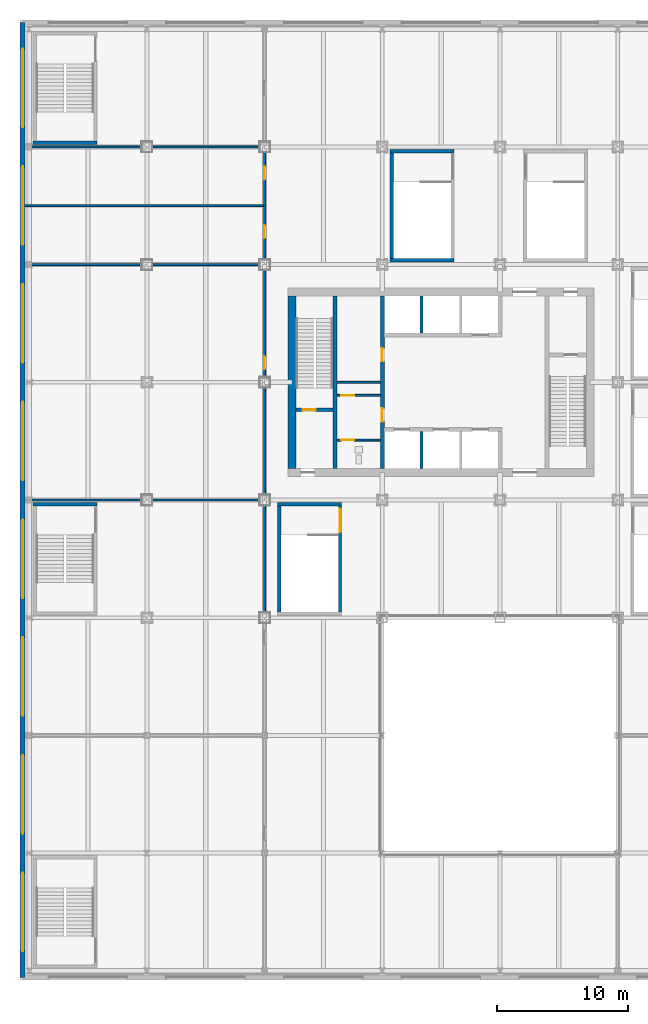
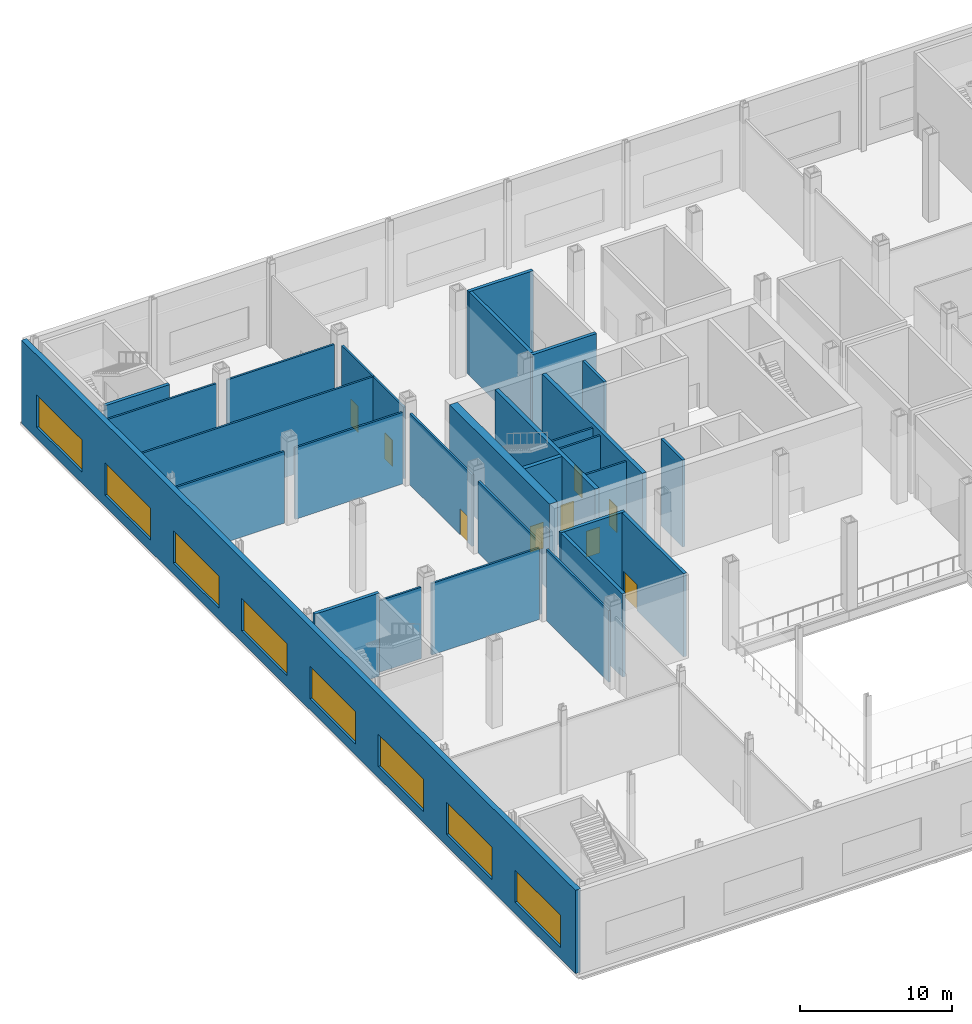
# One storey, part 12 of 32: 30 walls, 9 doors, 8 windows, 17 openings.
"""IFC4 building model written with IfcOpenShell, lengths in metres."""

from ifc_helpers import new_model, si_unit, direction, frame, frame_2d, origin, place, context, subcontext, project, spatial, rectangle, extrude, material, layer, layer_set, type_object, element, fill, save


model = new_model("IFC4")

# Units and contexts
model_context = context("Model", 3, precision=1e-05, world=origin(), true_north=direction((0.0, 1.0)))
body_context = subcontext(model_context, "Body", "Model", "MODEL_VIEW")
ifc_project = project(units=[si_unit("LENGTHUNIT", "METRE"), si_unit("AREAUNIT", "SQUARE_METRE"), si_unit("VOLUMEUNIT", "CUBIC_METRE"), si_unit("PLANEANGLEUNIT", "RADIAN"), si_unit("MASSUNIT", "GRAM", prefix="KILO")], contexts=[model_context])

# Site, building, storey
site_placement = place(None, origin())
site = spatial("IfcSite", under=ifc_project, at=site_placement, CompositionType="ELEMENT")
building_placement = place(site_placement, origin())
building = spatial("IfcBuilding", under=site, at=building_placement, Name="Loomwork Tower", CompositionType="ELEMENT")
storey_placement = place(building_placement, frame((0.0, 0.0, 16.0)))
storey = spatial("IfcBuildingStorey", under=building, at=storey_placement, Name="L03", CompositionType="ELEMENT", Elevation=16.0)

# Wall
ifc_material_1 = material(Name="Concrete 14000 psi (97 MPa)", Category="concrete")
ifc_layer_1 = layer(ifc_material_1, 0.300048828125)
ifc_layer_set_1 = layer_set([ifc_layer_1], Name="Core shear wall 300")
wall_type_1 = type_object("IfcWallType", Name="Core shear wall 300", PredefinedType="SHEAR", material=ifc_layer_set_1)
wall_1_placement = place(storey_placement, frame((14.39990234375, 11.39990234375, 0.0), z_axis=(0.0, 0.0, 1.0), x_axis=(0.0, 1.0, 0.0)))
element("IfcWall", 1, at=wall_1_placement, inside=storey, type_object=wall_type_1, Name="Stair A east wall L03", PredefinedType="SHEAR", context=body_context, shape_type="SweptSolid", body=[
    extrude(rectangle(XDim=13.2001953125, YDim=0.300048828125, at=frame_2d((6.60009765625, 0.0))), origin(), (0.0, 0.0, 1.0), 7.0),
])

# Wall, opening, door
wall_2_placement = place(storey_placement, frame((11.39990234375, 15.89990234375, 0.0), z_axis=(0.0, 0.0, 1.0), x_axis=(1.0, 0.0, 0.0)))
wall_2 = element("IfcWall", 2, at=wall_2_placement, inside=storey, type_object=wall_type_1, Name="Stair A south wall L03", PredefinedType="SHEAR", context=body_context, shape_type="SweptSolid", body=[
    extrude(rectangle(XDim=2.85009765625, YDim=0.300048828125, at=frame_2d((1.425048828125, 0.0))), origin(), (0.0, 0.0, 1.0), 7.0),
])
opening_1_placement = place(wall_2_placement, frame((0.5, 0.0, 0.0)))
opening_1 = element("IfcOpeningElement", 3, at=opening_1_placement, cuts=wall_2, Name="Opening D4", PredefinedType="OPENING", context=body_context, shape_type="SweptSolid", body=[
    extrude(rectangle(XDim=1.0, YDim=2.10009765625, at=frame_2d((0.5, 1.050048828125))), frame((0.0, 0.159912109375, 0.0), z_axis=(0.0, -1.0, 0.0), x_axis=(1.0, 0.0, 0.0)), (0.0, 0.0, 1.0), 0.320068359375),
])
ifc_material_2 = material(Name="Hollow metal door and frame")
door_type_1 = type_object("IfcDoorType", Name="Stair door 1000", OperationType="SINGLE_SWING_RIGHT", PredefinedType="DOOR", material=ifc_material_2)
door_1_placement = place(opening_1_placement, origin())
door_1 = element("IfcDoor", 4, at=door_1_placement, inside=storey, type_object=door_type_1, Name="Stair A door", OperationType="SINGLE_SWING_LEFT", OverallHeight=2.10009765625, OverallWidth=1.0, PredefinedType="DOOR", context=body_context, shape_type="SweptSolid", body=[
    extrude(rectangle(XDim=1.0, YDim=2.10009765625, at=frame_2d((0.5, 1.050048828125))), frame((0.0, 0.02490234375, 0.0), z_axis=(0.0, -1.0, 0.0), x_axis=(1.0, 0.0, 0.0)), (0.0, 0.0, 1.0), 0.050048828125),
])
fill(opening_1, door_1)

# Wall, openings, doors
wall_3_placement = place(storey_placement, frame((18.0, 11.39990234375, 0.0), z_axis=(0.0, 0.0, 1.0), x_axis=(0.0, 1.0, 0.0)))
wall_3 = element("IfcWall", 5, at=wall_3_placement, inside=storey, type_object=wall_type_1, Name="Lobby west wall L03", PredefinedType="SHEAR", context=body_context, shape_type="SweptSolid", body=[
    extrude(rectangle(XDim=13.2001953125, YDim=0.300048828125, at=frame_2d((6.60009765625, 0.0))), origin(), (0.0, 0.0, 1.0), 7.0),
])
opening_2_placement = place(wall_3_placement, frame((3.60009765625, 0.0, 0.0)))
opening_2 = element("IfcOpeningElement", 6, at=opening_2_placement, cuts=wall_3, Name="Opening D5", PredefinedType="OPENING", context=body_context, shape_type="SweptSolid", body=[
    extrude(rectangle(XDim=1.0, YDim=2.10009765625, at=frame_2d((0.5, 1.050048828125))), frame((0.0, 0.159912109375, 0.0), z_axis=(0.0, -1.0, 0.0), x_axis=(1.0, 0.0, 0.0)), (0.0, 0.0, 1.0), 0.320068359375),
])
opening_3_placement = place(wall_3_placement, frame((8.199951171875, 0.0, 0.0)))
opening_3 = element("IfcOpeningElement", 7, at=opening_3_placement, cuts=wall_3, Name="Opening D5", PredefinedType="OPENING", context=body_context, shape_type="SweptSolid", body=[
    extrude(rectangle(XDim=1.0, YDim=2.10009765625, at=frame_2d((0.5, 1.050048828125))), frame((0.0, 0.159912109375, 0.0), z_axis=(0.0, -1.0, 0.0), x_axis=(1.0, 0.0, 0.0)), (0.0, 0.0, 1.0), 0.320068359375),
])
ifc_material_3 = material(Name="Hollow metal door and frame")
door_type_2 = type_object("IfcDoorType", Name="Service door 1000", OperationType="SINGLE_SWING_LEFT", PredefinedType="DOOR", material=ifc_material_3)
door_2_placement = place(opening_2_placement, origin())
door_2 = element("IfcDoor", 8, at=door_2_placement, inside=storey, type_object=door_type_2, Name="Back-of-house door south", OperationType="SINGLE_SWING_LEFT", OverallHeight=2.10009765625, OverallWidth=1.0, PredefinedType="DOOR", context=body_context, shape_type="SweptSolid", body=[
    extrude(rectangle(XDim=1.0, YDim=2.10009765625, at=frame_2d((0.5, 1.050048828125))), frame((0.0, 0.02490234375, 0.0), z_axis=(0.0, -1.0, 0.0), x_axis=(1.0, 0.0, 0.0)), (0.0, 0.0, 1.0), 0.050048828125),
])
fill(opening_2, door_2)
door_3_placement = place(opening_3_placement, origin())
door_3 = element("IfcDoor", 9, at=door_3_placement, inside=storey, type_object=door_type_2, Name="Back-of-house door north", OperationType="SINGLE_SWING_RIGHT", OverallHeight=2.10009765625, OverallWidth=1.0, PredefinedType="DOOR", context=body_context, shape_type="SweptSolid", body=[
    extrude(rectangle(XDim=1.0, YDim=2.10009765625, at=frame_2d((0.5, 1.050048828125))), frame((0.0, 0.02490234375, 0.0), z_axis=(0.0, -1.0, 0.0), x_axis=(1.0, 0.0, 0.0)), (0.0, 0.0, 1.0), 0.050048828125),
])
fill(opening_3, door_3)

# Walls
ifc_material_4 = material(Name="Concrete 14000 psi (97 MPa)", Category="concrete")
ifc_layer_2 = layer(ifc_material_4, 0.60009765625)
ifc_layer_set_2 = layer_set([ifc_layer_2], Name="Core shear wall 600")
wall_type_2 = type_object("IfcWallType", Name="Core shear wall 600", PredefinedType="SHEAR", material=ifc_layer_set_2)
wall_4_placement = place(storey_placement, frame((11.10009765625, 11.39990234375, 0.0), z_axis=(0.0, 0.0, 1.0), x_axis=(0.0, 1.0, 0.0)))
element("IfcWall", 10, at=wall_4_placement, inside=storey, type_object=wall_type_2, Name="Core wall west L03", PredefinedType="SHEAR", context=body_context, shape_type="SweptSolid", body=[
    extrude(rectangle(XDim=13.2001953125, YDim=0.60009765625, at=frame_2d((6.60009765625, 0.0))), origin(), (0.0, 0.0, 1.0), 7.0),
])
ifc_material_5 = material(Name="Concrete 14000 psi (97 MPa)", Category="concrete")
ifc_layer_3 = layer(ifc_material_5, 0.199951171875)
ifc_layer_set_3 = layer_set([ifc_layer_3], Name="Lift shaft wall 200")
wall_type_3 = type_object("IfcWallType", Name="Lift shaft wall 200", PredefinedType="SHEAR", material=ifc_layer_set_3)
for number, where, z_axis, x_axis, name in (
    (11, (21.0, 11.39990234375, 0.0), (0.0, 0.0, 1.0), (0.0, 1.0, 0.0), "Lift shaft separation wall south 1 L03"),
    (12, (21.0, 21.75, 0.0), (0.0, 0.0, 1.0), (0.0, 1.0, 0.0), "Lift shaft separation wall north 1 L03"),
):
    element("IfcWall", number, at=place(storey_placement, frame(where, z_axis=z_axis, x_axis=x_axis)), inside=storey, type_object=wall_type_3, Name=name, PredefinedType="SHEAR", context=body_context, shape_type="SweptSolid", body=[
        extrude(rectangle(XDim=2.85009765625, YDim=0.199951171875, at=frame_2d((1.425048828125, 0.0))), origin(), (0.0, 0.0, 1.0), 7.0),
    ])
ifc_material_6 = material(Name="Gypsum board on steel studs, one-hour", Category="steel")
ifc_layer_4 = layer(ifc_material_6, 0.14990234375)
ifc_layer_set_4 = layer_set([ifc_layer_4], Name="Partition 150")
wall_type_4 = type_object("IfcWallType", Name="Partition 150", PredefinedType="PARTITIONING", material=ifc_layer_set_4)
wall_5_placement = place(storey_placement, frame((-8.81201171875, 9.0, 0.0), z_axis=(0.0, 0.0, 1.0), x_axis=(1.0, 0.0, 0.0)))
element("IfcWall", 13, at=wall_5_placement, inside=storey, type_object=wall_type_4, Name="Partition L03 2.1", PredefinedType="PARTITIONING", context=body_context, shape_type="SweptSolid", body=[
    extrude(rectangle(XDim=8.412109375, YDim=0.14990234375, at=frame_2d((4.2060546875, 0.0))), origin(), (0.0, 0.0, 1.0), 5.752685546875),
])
wall_6_placement = place(storey_placement, frame((0.39990234375, 9.0, 0.0), z_axis=(0.0, 0.0, 1.0), x_axis=(1.0, 0.0, 0.0)))
element("IfcWall", 14, at=wall_6_placement, inside=storey, type_object=wall_type_4, Name="Partition L03 2.2", PredefinedType="PARTITIONING", context=body_context, shape_type="SweptSolid", body=[
    extrude(rectangle(XDim=8.2001953125, YDim=0.14990234375, at=frame_2d((4.10009765625, 0.0))), origin(), (0.0, 0.0, 1.0), 5.752685546875),
])
wall_7_placement = place(storey_placement, frame((-8.81201171875, 27.0, 0.0), z_axis=(0.0, 0.0, 1.0), x_axis=(1.0, 0.0, 0.0)))
element("IfcWall", 15, at=wall_7_placement, inside=storey, type_object=wall_type_4, Name="Partition L03 3.1", PredefinedType="PARTITIONING", context=body_context, shape_type="SweptSolid", body=[
    extrude(rectangle(XDim=8.412109375, YDim=0.14990234375, at=frame_2d((4.2060546875, 0.0))), origin(), (0.0, 0.0, 1.0), 5.752685546875),
])
wall_8_placement = place(storey_placement, frame((0.39990234375, 27.0, 0.0), z_axis=(0.0, 0.0, 1.0), x_axis=(1.0, 0.0, 0.0)))
element("IfcWall", 16, at=wall_8_placement, inside=storey, type_object=wall_type_4, Name="Partition L03 3.2", PredefinedType="PARTITIONING", context=body_context, shape_type="SweptSolid", body=[
    extrude(rectangle(XDim=8.2001953125, YDim=0.14990234375, at=frame_2d((4.10009765625, 0.0))), origin(), (0.0, 0.0, 1.0), 5.752685546875),
])
wall_9_placement = place(storey_placement, frame((-9.300048828125, 31.5, 0.0), z_axis=(0.0, 0.0, 1.0), x_axis=(1.0, 0.0, 0.0)))
element("IfcWall", 17, at=wall_9_placement, inside=storey, type_object=wall_type_4, Name="Partition L03 4.1", PredefinedType="PARTITIONING", context=body_context, shape_type="SweptSolid", body=[
    extrude(rectangle(XDim=18.300048828125, YDim=0.14990234375, at=frame_2d((9.14990234375, 0.0))), origin(), (0.0, 0.0, 1.0), 5.751953125),
])
wall_10_placement = place(storey_placement, frame((-8.81201171875, 36.0, 0.0), z_axis=(0.0, 0.0, 1.0), x_axis=(1.0, 0.0, 0.0)))
element("IfcWall", 18, at=wall_10_placement, inside=storey, type_object=wall_type_4, Name="Partition L03 5.1", PredefinedType="PARTITIONING", context=body_context, shape_type="SweptSolid", body=[
    extrude(rectangle(XDim=8.412109375, YDim=0.14990234375, at=frame_2d((4.2060546875, 0.0))), origin(), (0.0, 0.0, 1.0), 5.752685546875),
])
for number, where, z_axis, x_axis, name in (
    (19, (0.39990234375, 36.0, 0.0), (0.0, 0.0, 1.0), (1.0, 0.0, 0.0), "Partition L03 5.2"),
    (20, (9.0, 8.60009765625, 0.0), (0.0, 0.0, 1.0), (0.0, -1.0, 0.0), "Partition L03 7.1"),
):
    element("IfcWall", number, at=place(storey_placement, frame(where, z_axis=z_axis, x_axis=x_axis)), inside=storey, type_object=wall_type_4, Name=name, PredefinedType="PARTITIONING", context=body_context, shape_type="SweptSolid", body=[
        extrude(rectangle(XDim=8.2001953125, YDim=0.14990234375, at=frame_2d((4.10009765625, 0.0))), origin(), (0.0, 0.0, 1.0), 5.752685546875),
    ])

# Wall, opening, door
wall_11_placement = place(storey_placement, frame((9.0, 26.60009765625, 0.0), z_axis=(0.0, 0.0, 1.0), x_axis=(0.0, -1.0, 0.0)))
wall_11 = element("IfcWall", 21, at=wall_11_placement, inside=storey, type_object=wall_type_4, Name="Partition L03 8.1", PredefinedType="PARTITIONING", context=body_context, shape_type="SweptSolid", body=[
    extrude(rectangle(XDim=8.2001953125, YDim=0.14990234375, at=frame_2d((4.10009765625, 0.0))), origin(), (0.0, 0.0, 1.0), 5.752685546875),
])
opening_4_placement = place(wall_11_placement, frame((6.60009765625, 0.0, 0.0)))
opening_4 = element("IfcOpeningElement", 22, at=opening_4_placement, cuts=wall_11, Name="Opening D7", PredefinedType="OPENING", context=body_context, shape_type="SweptSolid", body=[
    extrude(rectangle(XDim=1.0, YDim=2.10009765625, at=frame_2d((0.5, 1.050048828125))), frame((0.0, 0.0849609375, 0.0), z_axis=(0.0, -1.0, 0.0), x_axis=(1.0, 0.0, 0.0)), (0.0, 0.0, 1.0), 0.169921875),
])
ifc_material_7 = material(Name="Hollow metal door and frame")
door_type_3 = type_object("IfcDoorType", Name="Room door 1000", OperationType="SINGLE_SWING_LEFT", PredefinedType="DOOR", material=ifc_material_7)
door_4_placement = place(opening_4_placement, origin())
door_4 = element("IfcDoor", 23, at=door_4_placement, inside=storey, type_object=door_type_3, Name="Meeting room 303 door", OperationType="SINGLE_SWING_RIGHT", OverallHeight=2.10009765625, OverallWidth=1.0, PredefinedType="DOOR", context=body_context, shape_type="SweptSolid", body=[
    extrude(rectangle(XDim=1.0, YDim=2.10009765625, at=frame_2d((0.5, 1.050048828125))), frame((0.0, 0.02490234375, 0.0), z_axis=(0.0, -1.0, 0.0), x_axis=(1.0, 0.0, 0.0)), (0.0, 0.0, 1.0), 0.050048828125),
])
fill(opening_4, door_4)

# Wall
wall_12_placement = place(storey_placement, frame((9.0, 17.60009765625, 0.0), z_axis=(0.0, 0.0, 1.0), x_axis=(0.0, -1.0, 0.0)))
element("IfcWall", 24, at=wall_12_placement, inside=storey, type_object=wall_type_4, Name="Partition L03 8.2", PredefinedType="PARTITIONING", context=body_context, shape_type="SweptSolid", body=[
    extrude(rectangle(XDim=8.2001953125, YDim=0.14990234375, at=frame_2d((4.10009765625, 0.0))), origin(), (0.0, 0.0, 1.0), 5.752685546875),
])

# Wall, opening, door
wall_13_placement = place(storey_placement, frame((9.0, 31.5, 0.0), z_axis=(0.0, 0.0, 1.0), x_axis=(0.0, -1.0, 0.0)))
wall_13 = element("IfcWall", 25, at=wall_13_placement, inside=storey, type_object=wall_type_4, Name="Partition L03 9.1", PredefinedType="PARTITIONING", context=body_context, shape_type="SweptSolid", body=[
    extrude(rectangle(XDim=4.10009765625, YDim=0.14990234375, at=frame_2d((2.050048828125, 0.0))), origin(), (0.0, 0.0, 1.0), 5.752685546875),
])
opening_5_placement = place(wall_13_placement, frame((1.5, 0.0, 0.0)))
opening_5 = element("IfcOpeningElement", 26, at=opening_5_placement, cuts=wall_13, Name="Opening D8", PredefinedType="OPENING", context=body_context, shape_type="SweptSolid", body=[
    extrude(rectangle(XDim=1.0, YDim=2.10009765625, at=frame_2d((0.5, 1.050048828125))), frame((0.0, 0.0849609375, 0.0), z_axis=(0.0, -1.0, 0.0), x_axis=(1.0, 0.0, 0.0)), (0.0, 0.0, 1.0), 0.169921875),
])
ifc_material_8 = material(Name="Hollow metal door and frame")
door_type_4 = type_object("IfcDoorType", Name="WC door 1000", OperationType="SINGLE_SWING_LEFT", PredefinedType="DOOR", material=ifc_material_8)
door_5_placement = place(opening_5_placement, frame((1.0, 0.0, 0.0), z_axis=(0.0, 0.0, 1.0), x_axis=(-1.0, 0.0, 0.0)))
door_5 = element("IfcDoor", 27, at=door_5_placement, inside=storey, type_object=door_type_4, Name="Public WC men door", OperationType="SINGLE_SWING_RIGHT", OverallHeight=2.10009765625, OverallWidth=1.0, PredefinedType="DOOR", context=body_context, shape_type="SweptSolid", body=[
    extrude(rectangle(XDim=1.0, YDim=2.10009765625, at=frame_2d((0.5, 1.050048828125))), frame((0.0, 0.02490234375, 0.0), z_axis=(0.0, -1.0, 0.0), x_axis=(1.0, 0.0, 0.0)), (0.0, 0.0, 1.0), 0.050048828125),
])
fill(opening_5, door_5)

wall_14_placement = place(storey_placement, frame((9.0, 35.60009765625, 0.0), z_axis=(0.0, 0.0, 1.0), x_axis=(0.0, -1.0, 0.0)))
wall_14 = element("IfcWall", 28, at=wall_14_placement, inside=storey, type_object=wall_type_4, Name="Partition L03 10.1", PredefinedType="PARTITIONING", context=body_context, shape_type="SweptSolid", body=[
    extrude(rectangle(XDim=4.10009765625, YDim=0.14990234375, at=frame_2d((2.050048828125, 0.0))), origin(), (0.0, 0.0, 1.0), 5.752685546875),
])
opening_6_placement = place(wall_14_placement, frame((1.10009765625, 0.0, 0.0)))
opening_6 = element("IfcOpeningElement", 29, at=opening_6_placement, cuts=wall_14, Name="Opening D8", PredefinedType="OPENING", context=body_context, shape_type="SweptSolid", body=[
    extrude(rectangle(XDim=1.0, YDim=2.10009765625, at=frame_2d((0.5, 1.050048828125))), frame((0.0, 0.0849609375, 0.0), z_axis=(0.0, -1.0, 0.0), x_axis=(1.0, 0.0, 0.0)), (0.0, 0.0, 1.0), 0.169921875),
])
door_6_placement = place(opening_6_placement, frame((1.0, 0.0, 0.0), z_axis=(0.0, 0.0, 1.0), x_axis=(-1.0, 0.0, 0.0)))
door_6 = element("IfcDoor", 30, at=door_6_placement, inside=storey, type_object=door_type_4, Name="Public WC women door", OperationType="SINGLE_SWING_RIGHT", OverallHeight=2.10009765625, OverallWidth=1.0, PredefinedType="DOOR", context=body_context, shape_type="SweptSolid", body=[
    extrude(rectangle(XDim=1.0, YDim=2.10009765625, at=frame_2d((0.5, 1.050048828125))), frame((0.0, 0.02490234375, 0.0), z_axis=(0.0, -1.0, 0.0), x_axis=(1.0, 0.0, 0.0)), (0.0, 0.0, 1.0), 0.050048828125),
])
fill(opening_6, door_6)

# Wall
ifc_material_9 = material(Name="Gypsum board on steel studs", Category="steel")
ifc_layer_5 = layer(ifc_material_9, 0.14990234375)
ifc_layer_set_5 = layer_set([ifc_layer_5], Name="Partition 150 two-hour")
wall_type_5 = type_object("IfcWallType", Name="Partition 150 two-hour", PredefinedType="PARTITIONING", material=ifc_layer_set_5)
wall_15_placement = place(storey_placement, frame((14.550048828125, 18.0, 0.0), z_axis=(0.0, 0.0, 1.0), x_axis=(1.0, 0.0, 0.0)))
element("IfcWall", 31, at=wall_15_placement, inside=storey, type_object=wall_type_5, Name="Back-of-house dividing wall L03", PredefinedType="PARTITIONING", context=body_context, shape_type="SweptSolid", body=[
    extrude(rectangle(XDim=3.300048828125, YDim=0.14990234375, at=frame_2d((1.64990234375, 0.0))), origin(), (0.0, 0.0, 1.0), 6.699951171875),
])

# Wall, openings, windows
ifc_material_10 = material(Name="Limestone on concrete masonry", Category="masonry")
ifc_layer_6 = layer(ifc_material_10, 0.39990234375)
ifc_layer_set_6 = layer_set([ifc_layer_6], Name="Podium limestone wall 400")
wall_type_6 = type_object("IfcWallType", Name="Podium limestone wall 400", PredefinedType="SOLIDWALL", material=ifc_layer_set_6)
wall_16_placement = place(storey_placement, frame((-9.5, 45.5, 0.0), z_axis=(0.0, 0.0, 1.0), x_axis=(0.0, -1.0, 0.0)))
wall_16 = element("IfcWall", 32, at=wall_16_placement, inside=storey, type_object=wall_type_6, Name="Podium stone wall W", PredefinedType="SOLIDWALL", context=body_context, shape_type="SweptSolid", body=[
    extrude(rectangle(XDim=73.0, YDim=0.39990234375, at=frame_2d((36.5, 0.0))), origin(), (0.0, 0.0, 1.0), 6.699951171875),
])
opening_7_placement = place(wall_16_placement, frame((2.0, 0.0, 0.89990234375)))
opening_7 = element("IfcOpeningElement", 33, at=opening_7_placement, cuts=wall_16, Name="Opening CH3", PredefinedType="OPENING", context=body_context, shape_type="SweptSolid", body=[
    extrude(rectangle(XDim=6.0, YDim=2.60009765625, at=frame_2d((3.0, 1.300048828125))), frame((0.0, 0.2099609375, 0.0), z_axis=(0.0, -1.0, 0.0), x_axis=(1.0, 0.0, 0.0)), (0.0, 0.0, 1.0), 0.419921875),
])
opening_8_placement = place(wall_16_placement, frame((11.0, 0.0, 0.89990234375)))
opening_8 = element("IfcOpeningElement", 34, at=opening_8_placement, cuts=wall_16, Name="Opening CH3", PredefinedType="OPENING", context=body_context, shape_type="SweptSolid", body=[
    extrude(rectangle(XDim=6.0, YDim=2.60009765625, at=frame_2d((3.0, 1.300048828125))), frame((0.0, 0.2099609375, 0.0), z_axis=(0.0, -1.0, 0.0), x_axis=(1.0, 0.0, 0.0)), (0.0, 0.0, 1.0), 0.419921875),
])
opening_9_placement = place(wall_16_placement, frame((20.0, 0.0, 0.89990234375)))
opening_9 = element("IfcOpeningElement", 35, at=opening_9_placement, cuts=wall_16, Name="Opening CH3", PredefinedType="OPENING", context=body_context, shape_type="SweptSolid", body=[
    extrude(rectangle(XDim=6.0, YDim=2.60009765625, at=frame_2d((3.0, 1.300048828125))), frame((0.0, 0.2099609375, 0.0), z_axis=(0.0, -1.0, 0.0), x_axis=(1.0, 0.0, 0.0)), (0.0, 0.0, 1.0), 0.419921875),
])
opening_10_placement = place(wall_16_placement, frame((29.0, 0.0, 0.89990234375)))
opening_10 = element("IfcOpeningElement", 36, at=opening_10_placement, cuts=wall_16, Name="Opening CH3", PredefinedType="OPENING", context=body_context, shape_type="SweptSolid", body=[
    extrude(rectangle(XDim=6.0, YDim=2.60009765625, at=frame_2d((3.0, 1.300048828125))), frame((0.0, 0.2099609375, 0.0), z_axis=(0.0, -1.0, 0.0), x_axis=(1.0, 0.0, 0.0)), (0.0, 0.0, 1.0), 0.419921875),
])
opening_11_placement = place(wall_16_placement, frame((38.0, 0.0, 0.89990234375)))
opening_11 = element("IfcOpeningElement", 37, at=opening_11_placement, cuts=wall_16, Name="Opening CH3", PredefinedType="OPENING", context=body_context, shape_type="SweptSolid", body=[
    extrude(rectangle(XDim=6.0, YDim=2.60009765625, at=frame_2d((3.0, 1.300048828125))), frame((0.0, 0.2099609375, 0.0), z_axis=(0.0, -1.0, 0.0), x_axis=(1.0, 0.0, 0.0)), (0.0, 0.0, 1.0), 0.419921875),
])
opening_12_placement = place(wall_16_placement, frame((47.0, 0.0, 0.89990234375)))
opening_12 = element("IfcOpeningElement", 38, at=opening_12_placement, cuts=wall_16, Name="Opening CH3", PredefinedType="OPENING", context=body_context, shape_type="SweptSolid", body=[
    extrude(rectangle(XDim=6.0, YDim=2.60009765625, at=frame_2d((3.0, 1.300048828125))), frame((0.0, 0.2099609375, 0.0), z_axis=(0.0, -1.0, 0.0), x_axis=(1.0, 0.0, 0.0)), (0.0, 0.0, 1.0), 0.419921875),
])
opening_13_placement = place(wall_16_placement, frame((56.0, 0.0, 0.89990234375)))
opening_13 = element("IfcOpeningElement", 39, at=opening_13_placement, cuts=wall_16, Name="Opening CH3", PredefinedType="OPENING", context=body_context, shape_type="SweptSolid", body=[
    extrude(rectangle(XDim=6.0, YDim=2.60009765625, at=frame_2d((3.0, 1.300048828125))), frame((0.0, 0.2099609375, 0.0), z_axis=(0.0, -1.0, 0.0), x_axis=(1.0, 0.0, 0.0)), (0.0, 0.0, 1.0), 0.419921875),
])
opening_14_placement = place(wall_16_placement, frame((65.0, 0.0, 0.89990234375)))
opening_14 = element("IfcOpeningElement", 40, at=opening_14_placement, cuts=wall_16, Name="Opening CH3", PredefinedType="OPENING", context=body_context, shape_type="SweptSolid", body=[
    extrude(rectangle(XDim=6.0, YDim=2.60009765625, at=frame_2d((3.0, 1.300048828125))), frame((0.0, 0.2099609375, 0.0), z_axis=(0.0, -1.0, 0.0), x_axis=(1.0, 0.0, 0.0)), (0.0, 0.0, 1.0), 0.419921875),
])
ifc_material_11 = material(Name="Aluminium frame with clear insulated glass", Category="aluminium")
window_type = type_object("IfcWindowType", Name="Podium Chicago window 6000", PartitioningType="TRIPLE_PANEL_VERTICAL", PredefinedType="WINDOW", material=ifc_material_11)
window_1_placement = place(opening_7_placement, origin())
window_1 = element("IfcWindow", 41, at=window_1_placement, inside=storey, type_object=window_type, Name="Podium window W bay 1", OverallHeight=2.60009765625, OverallWidth=6.0, PartitioningType="TRIPLE_PANEL_VERTICAL", PredefinedType="WINDOW", context=body_context, shape_type="SweptSolid", body=[
    extrude(rectangle(XDim=6.0, YDim=2.60009765625, at=frame_2d((3.0, 1.300048828125))), frame((0.0, 0.030029296875, 0.0), z_axis=(0.0, -1.0, 0.0), x_axis=(1.0, 0.0, 0.0)), (0.0, 0.0, 1.0), 0.06005859375),
])
fill(opening_7, window_1)
window_2_placement = place(opening_8_placement, origin())
window_2 = element("IfcWindow", 42, at=window_2_placement, inside=storey, type_object=window_type, Name="Podium window W bay 2", OverallHeight=2.60009765625, OverallWidth=6.0, PartitioningType="TRIPLE_PANEL_VERTICAL", PredefinedType="WINDOW", context=body_context, shape_type="SweptSolid", body=[
    extrude(rectangle(XDim=6.0, YDim=2.60009765625, at=frame_2d((3.0, 1.300048828125))), frame((0.0, 0.030029296875, 0.0), z_axis=(0.0, -1.0, 0.0), x_axis=(1.0, 0.0, 0.0)), (0.0, 0.0, 1.0), 0.06005859375),
])
fill(opening_8, window_2)
window_3_placement = place(opening_9_placement, origin())
window_3 = element("IfcWindow", 43, at=window_3_placement, inside=storey, type_object=window_type, Name="Podium window W bay 3", OverallHeight=2.60009765625, OverallWidth=6.0, PartitioningType="TRIPLE_PANEL_VERTICAL", PredefinedType="WINDOW", context=body_context, shape_type="SweptSolid", body=[
    extrude(rectangle(XDim=6.0, YDim=2.60009765625, at=frame_2d((3.0, 1.300048828125))), frame((0.0, 0.030029296875, 0.0), z_axis=(0.0, -1.0, 0.0), x_axis=(1.0, 0.0, 0.0)), (0.0, 0.0, 1.0), 0.06005859375),
])
fill(opening_9, window_3)
window_4_placement = place(opening_10_placement, origin())
window_4 = element("IfcWindow", 44, at=window_4_placement, inside=storey, type_object=window_type, Name="Podium window W bay 4", OverallHeight=2.60009765625, OverallWidth=6.0, PartitioningType="TRIPLE_PANEL_VERTICAL", PredefinedType="WINDOW", context=body_context, shape_type="SweptSolid", body=[
    extrude(rectangle(XDim=6.0, YDim=2.60009765625, at=frame_2d((3.0, 1.300048828125))), frame((0.0, 0.030029296875, 0.0), z_axis=(0.0, -1.0, 0.0), x_axis=(1.0, 0.0, 0.0)), (0.0, 0.0, 1.0), 0.06005859375),
])
fill(opening_10, window_4)
window_5_placement = place(opening_11_placement, origin())
window_5 = element("IfcWindow", 45, at=window_5_placement, inside=storey, type_object=window_type, Name="Podium window W bay 5", OverallHeight=2.60009765625, OverallWidth=6.0, PartitioningType="TRIPLE_PANEL_VERTICAL", PredefinedType="WINDOW", context=body_context, shape_type="SweptSolid", body=[
    extrude(rectangle(XDim=6.0, YDim=2.60009765625, at=frame_2d((3.0, 1.300048828125))), frame((0.0, 0.030029296875, 0.0), z_axis=(0.0, -1.0, 0.0), x_axis=(1.0, 0.0, 0.0)), (0.0, 0.0, 1.0), 0.06005859375),
])
fill(opening_11, window_5)
window_6_placement = place(opening_12_placement, origin())
window_6 = element("IfcWindow", 46, at=window_6_placement, inside=storey, type_object=window_type, Name="Podium window W bay 6", OverallHeight=2.60009765625, OverallWidth=6.0, PartitioningType="TRIPLE_PANEL_VERTICAL", PredefinedType="WINDOW", context=body_context, shape_type="SweptSolid", body=[
    extrude(rectangle(XDim=6.0, YDim=2.60009765625, at=frame_2d((3.0, 1.300048828125))), frame((0.0, 0.030029296875, 0.0), z_axis=(0.0, -1.0, 0.0), x_axis=(1.0, 0.0, 0.0)), (0.0, 0.0, 1.0), 0.06005859375),
])
fill(opening_12, window_6)
window_7_placement = place(opening_13_placement, origin())
window_7 = element("IfcWindow", 47, at=window_7_placement, inside=storey, type_object=window_type, Name="Podium window W bay 7", OverallHeight=2.60009765625, OverallWidth=6.0, PartitioningType="TRIPLE_PANEL_VERTICAL", PredefinedType="WINDOW", context=body_context, shape_type="SweptSolid", body=[
    extrude(rectangle(XDim=6.0, YDim=2.60009765625, at=frame_2d((3.0, 1.300048828125))), frame((0.0, 0.030029296875, 0.0), z_axis=(0.0, -1.0, 0.0), x_axis=(1.0, 0.0, 0.0)), (0.0, 0.0, 1.0), 0.06005859375),
])
fill(opening_13, window_7)
window_8_placement = place(opening_14_placement, origin())
window_8 = element("IfcWindow", 48, at=window_8_placement, inside=storey, type_object=window_type, Name="Podium window W bay 8", OverallHeight=2.60009765625, OverallWidth=6.0, PartitioningType="TRIPLE_PANEL_VERTICAL", PredefinedType="WINDOW", context=body_context, shape_type="SweptSolid", body=[
    extrude(rectangle(XDim=6.0, YDim=2.60009765625, at=frame_2d((3.0, 1.300048828125))), frame((0.0, 0.030029296875, 0.0), z_axis=(0.0, -1.0, 0.0), x_axis=(1.0, 0.0, 0.0)), (0.0, 0.0, 1.0), 0.06005859375),
])
fill(opening_14, window_8)

# Wall, opening, door
ifc_material_12 = material(Name="Gypsum board on steel studs, one-hour", Category="steel")
ifc_layer_7 = layer(ifc_material_12, 0.14990234375)
ifc_layer_set_7 = layer_set([ifc_layer_7], Name="Service partition 150")
wall_type_7 = type_object("IfcWallType", Name="Service partition 150", PredefinedType="PARTITIONING", material=ifc_layer_set_7)
wall_17_placement = place(storey_placement, frame((14.550048828125, 17.0, 0.0), z_axis=(0.0, 0.0, 1.0), x_axis=(1.0, 0.0, 0.0)))
wall_17 = element("IfcWall", 49, at=wall_17_placement, inside=storey, type_object=wall_type_7, Name="Riser enclosure L03", PredefinedType="PARTITIONING", context=body_context, shape_type="SweptSolid", body=[
    extrude(rectangle(XDim=3.300048828125, YDim=0.14990234375, at=frame_2d((1.64990234375, 0.0))), origin(), (0.0, 0.0, 1.0), 6.699951171875),
])
opening_15_placement = place(wall_17_placement, frame((0.300048828125, 0.0, 0.0)))
opening_15 = element("IfcOpeningElement", 50, at=opening_15_placement, cuts=wall_17, Name="Opening D18", PredefinedType="OPENING", context=body_context, shape_type="SweptSolid", body=[
    extrude(rectangle(XDim=1.0, YDim=2.10009765625, at=frame_2d((0.5, 1.050048828125))), frame((0.0, 0.0849609375, 0.0), z_axis=(0.0, -1.0, 0.0), x_axis=(1.0, 0.0, 0.0)), (0.0, 0.0, 1.0), 0.169921875),
])
ifc_material_13 = material(Name="Hollow metal door and frame")
door_type_5 = type_object("IfcDoorType", Name="Ninety-minute service door 1000", OperationType="SINGLE_SWING_LEFT", PredefinedType="DOOR", material=ifc_material_13)
door_7_placement = place(opening_15_placement, frame((1.0, 0.0, 0.0), z_axis=(0.0, 0.0, 1.0), x_axis=(-1.0, 0.0, 0.0)))
door_7 = element("IfcDoor", 51, at=door_7_placement, inside=storey, type_object=door_type_5, Name="Riser access door", OperationType="SINGLE_SWING_RIGHT", OverallHeight=2.10009765625, OverallWidth=1.0, PredefinedType="DOOR", context=body_context, shape_type="SweptSolid", body=[
    extrude(rectangle(XDim=1.0, YDim=2.10009765625, at=frame_2d((0.5, 1.050048828125))), frame((0.0, 0.02490234375, 0.0), z_axis=(0.0, -1.0, 0.0), x_axis=(1.0, 0.0, 0.0)), (0.0, 0.0, 1.0), 0.050048828125),
])
fill(opening_15, door_7)

wall_18_placement = place(storey_placement, frame((14.550048828125, 13.574951171875, 0.0), z_axis=(0.0, 0.0, 1.0), x_axis=(1.0, 0.0, 0.0)))
wall_18 = element("IfcWall", 52, at=wall_18_placement, inside=storey, type_object=wall_type_7, Name="Back-of-house partition L03", PredefinedType="PARTITIONING", context=body_context, shape_type="SweptSolid", body=[
    extrude(rectangle(XDim=3.300048828125, YDim=0.14990234375, at=frame_2d((1.64990234375, 0.0))), origin(), (0.0, 0.0, 1.0), 6.699951171875),
])
opening_16_placement = place(wall_18_placement, frame((0.300048828125, 0.0, 0.0)))
opening_16 = element("IfcOpeningElement", 53, at=opening_16_placement, cuts=wall_18, Name="Opening D5", PredefinedType="OPENING", context=body_context, shape_type="SweptSolid", body=[
    extrude(rectangle(XDim=1.0, YDim=2.10009765625, at=frame_2d((0.5, 1.050048828125))), frame((0.0, 0.0849609375, 0.0), z_axis=(0.0, -1.0, 0.0), x_axis=(1.0, 0.0, 0.0)), (0.0, 0.0, 1.0), 0.169921875),
])
door_8_placement = place(opening_16_placement, frame((1.0, 0.0, 0.0), z_axis=(0.0, 0.0, 1.0), x_axis=(-1.0, 0.0, 0.0)))
door_8 = element("IfcDoor", 54, at=door_8_placement, inside=storey, type_object=door_type_2, Name="Back-of-house room door", OperationType="SINGLE_SWING_RIGHT", OverallHeight=2.10009765625, OverallWidth=1.0, PredefinedType="DOOR", context=body_context, shape_type="SweptSolid", body=[
    extrude(rectangle(XDim=1.0, YDim=2.10009765625, at=frame_2d((0.5, 1.050048828125))), frame((0.0, 0.02490234375, 0.0), z_axis=(0.0, -1.0, 0.0), x_axis=(1.0, 0.0, 0.0)), (0.0, 0.0, 1.0), 0.050048828125),
])
fill(opening_16, door_8)

# Walls
ifc_material_14 = material(Name="Concrete masonry, two-hour", Category="masonry")
ifc_layer_8 = layer(ifc_material_14, 0.25)
ifc_layer_set_8 = layer_set([ifc_layer_8], Name="Stair enclosure wall 250")
wall_type_8 = type_object("IfcWallType", Name="Stair enclosure wall 250", PredefinedType="SOLIDWALL", material=ifc_layer_set_8)
for number, where, z_axis, x_axis, name in (
    (55, (-8.699951171875, 36.324951171875, 0.0), (0.0, 0.0, 1.0), (1.0, 0.0, 0.0), "Stair PS3 enclosure wall S L03"),
    (56, (-8.699951171875, 8.675048828125, 0.0), (0.0, 0.0, 1.0), (1.0, 0.0, 0.0), "Stair PS5 enclosure wall N L03"),
    (57, (18.60009765625, 27.324951171875, 0.0), (0.0, 0.0, 1.0), (1.0, 0.0, 0.0), "Stair PS10 enclosure wall S L03"),
    (58, (18.60009765625, 35.675048828125, 0.0), (0.0, 0.0, 1.0), (1.0, 0.0, 0.0), "Stair PS10 enclosure wall N L03"),
):
    element("IfcWall", number, at=place(storey_placement, frame(where, z_axis=z_axis, x_axis=x_axis)), inside=storey, type_object=wall_type_8, Name=name, PredefinedType="SOLIDWALL", context=body_context, shape_type="SweptSolid", body=[
        extrude(rectangle(XDim=4.89990234375, YDim=0.25, at=frame_2d((2.449951171875, 0.0))), origin(), (0.0, 0.0, 1.0), 6.699951171875),
    ])
wall_19_placement = place(storey_placement, frame((18.72509765625, 27.449951171875, 0.0), z_axis=(0.0, 0.0, 1.0), x_axis=(0.0, 1.0, 0.0)))
element("IfcWall", 59, at=wall_19_placement, inside=storey, type_object=wall_type_8, Name="Stair PS10 enclosure wall W L03", PredefinedType="SOLIDWALL", context=body_context, shape_type="SweptSolid", body=[
    extrude(rectangle(XDim=8.10009765625, YDim=0.25, at=frame_2d((4.050048828125, 0.0))), origin(), (0.0, 0.0, 1.0), 6.699951171875),
])
wall_20_placement = place(storey_placement, frame((10.0, 8.675048828125, 0.0), z_axis=(0.0, 0.0, 1.0), x_axis=(1.0, 0.0, 0.0)))
element("IfcWall", 60, at=wall_20_placement, inside=storey, type_object=wall_type_8, Name="Stair PS12 enclosure wall N L03", PredefinedType="SOLIDWALL", context=body_context, shape_type="SweptSolid", body=[
    extrude(rectangle(XDim=4.89990234375, YDim=0.25, at=frame_2d((2.449951171875, 0.0))), origin(), (0.0, 0.0, 1.0), 6.699951171875),
])
wall_21_placement = place(storey_placement, frame((10.125, 0.449951171875, 0.0), z_axis=(0.0, 0.0, 1.0), x_axis=(0.0, 1.0, 0.0)))
element("IfcWall", 61, at=wall_21_placement, inside=storey, type_object=wall_type_8, Name="Stair PS12 enclosure wall W L03", PredefinedType="SOLIDWALL", context=body_context, shape_type="SweptSolid", body=[
    extrude(rectangle(XDim=8.10009765625, YDim=0.25, at=frame_2d((4.050048828125, 0.0))), origin(), (0.0, 0.0, 1.0), 6.699951171875),
])

# Wall, opening, door
wall_22_placement = place(storey_placement, frame((14.77490234375, 0.449951171875, 0.0), z_axis=(0.0, 0.0, 1.0), x_axis=(0.0, 1.0, 0.0)))
wall_22 = element("IfcWall", 62, at=wall_22_placement, inside=storey, type_object=wall_type_8, Name="Stair PS12 enclosure wall E L03", PredefinedType="SOLIDWALL", context=body_context, shape_type="SweptSolid", body=[
    extrude(rectangle(XDim=8.10009765625, YDim=0.25, at=frame_2d((4.050048828125, 0.0))), origin(), (0.0, 0.0, 1.0), 6.699951171875),
])
opening_17_placement = place(wall_22_placement, frame((6.10009765625, 0.0, 0.0)))
opening_17 = element("IfcOpeningElement", 63, at=opening_17_placement, cuts=wall_22, Name="Opening D14", PredefinedType="OPENING", context=body_context, shape_type="SweptSolid", body=[
    extrude(rectangle(XDim=1.800048828125, YDim=2.10009765625, at=frame_2d((0.89990234375, 1.050048828125))), frame((0.0, 0.135009765625, 0.0), z_axis=(0.0, -1.0, 0.0), x_axis=(1.0, 0.0, 0.0)), (0.0, 0.0, 1.0), 0.27001953125),
])
ifc_material_15 = material(Name="Hollow metal door and frame")
door_type_6 = type_object("IfcDoorType", Name="Stair double door 1800", OperationType="DOUBLE_DOOR_SINGLE_SWING", PredefinedType="DOOR", material=ifc_material_15)
door_9_placement = place(opening_17_placement, origin())
door_9 = element("IfcDoor", 64, at=door_9_placement, inside=storey, type_object=door_type_6, Name="Stair PS12 door L03", OperationType="DOUBLE_DOOR_SINGLE_SWING", OverallHeight=2.10009765625, OverallWidth=1.800048828125, PredefinedType="DOOR", context=body_context, shape_type="SweptSolid", body=[
    extrude(rectangle(XDim=1.800048828125, YDim=2.10009765625, at=frame_2d((0.89990234375, 1.050048828125))), frame((0.0, 0.02490234375, 0.0), z_axis=(0.0, -1.0, 0.0), x_axis=(1.0, 0.0, 0.0)), (0.0, 0.0, 1.0), 0.050048828125),
])
fill(opening_17, door_9)

save(model, "model.ifc")
